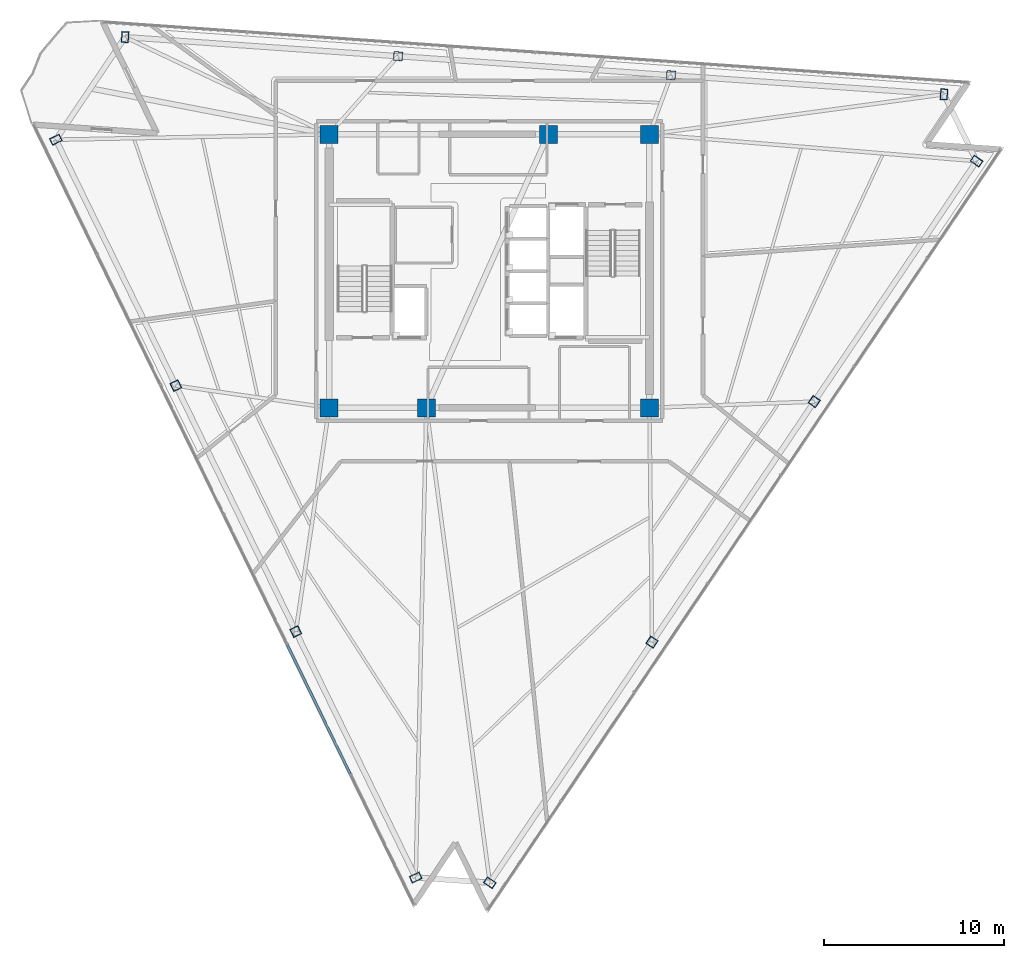
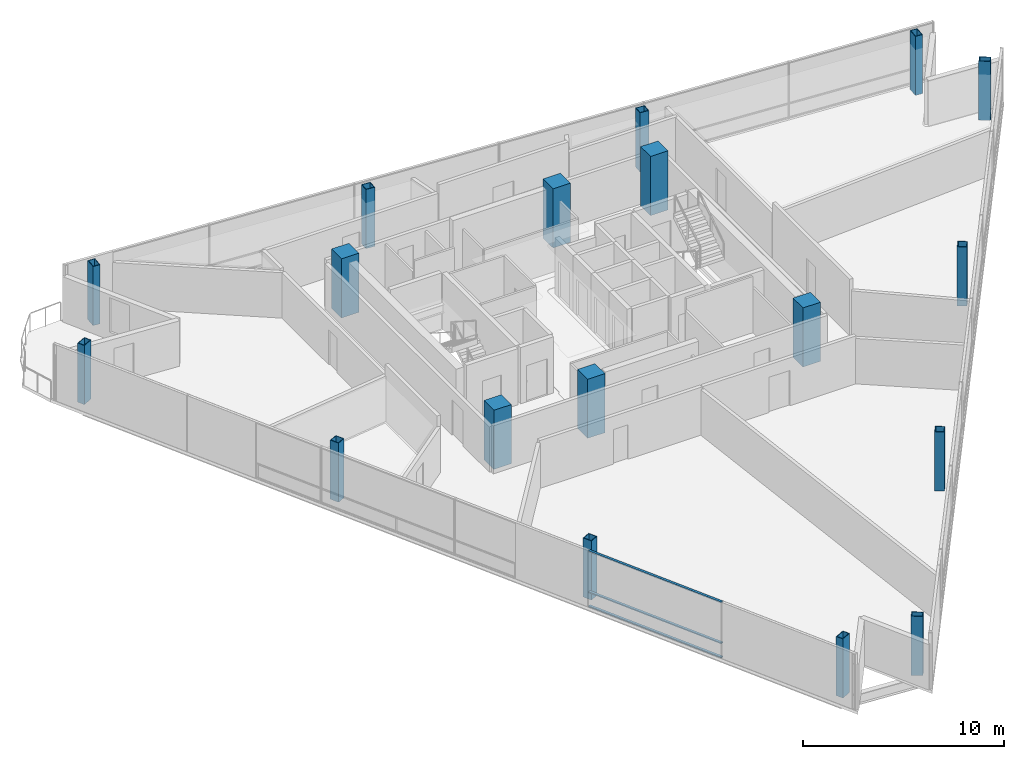
# One storey, part 1 of 14: 18 columns, 3 members, 1 element without a shape of its own.
"""IFC4 building model written with IfcOpenShell, lengths in metres."""

import ifcopenshell
import ifcopenshell.guid

model = None  # the IFC model being written
_history = None  # IfcOwnerHistory: only IFC2X3 demands one
_inside = {}  # id of a spatial element -> (the spatial element, [elements in it])
_under = {}  # id of a project, library or spatial element -> (it, [spatial elements below it])
_declared = {}  # id of a project -> (the project, [libraries it declares])
_typed = {}  # id of a type object -> (the type object, [elements of that type])
_made_of = {}  # id of a material, layer set ... -> (it, [elements and type objects made of it])


def new_model(schema):
    """Start an empty IFC model of exactly this schema.

    Asked for "IFC4X3", IfcOpenShell would pick the latest addendum, in which some entities
    have other attributes; the version numbers below select the first issue.
    IFC2X3 requires an IfcOwnerHistory on every rooted entity: one is made here for all.
    """
    global model, _history
    if schema == "IFC4X3":
        model = ifcopenshell.file(schema_version=(4, 3, 0, 0))
    else:
        model = ifcopenshell.file(schema=schema)
    _inside.clear()
    _under.clear()
    _declared.clear()
    _typed.clear()
    _made_of.clear()
    _history = None
    if model.schema == "IFC2X3":
        org = make("IfcOrganization", Name="unknown")
        user = make(
            "IfcPersonAndOrganization",
            ThePerson=make("IfcPerson", FamilyName="unknown"),
            TheOrganization=org,
        )
        app = make(
            "IfcApplication",
            ApplicationDeveloper=org,
            Version="unknown",
            ApplicationFullName="unknown",
            ApplicationIdentifier="unknown",
        )
        _history = make(
            "IfcOwnerHistory",
            OwningUser=user,
            OwningApplication=app,
            ChangeAction="ADDED",
            CreationDate=0,
        )
    return model


def make(cls, **values):
    """One entity of the class cls with the attributes given. An attribute that is None is left unset."""
    return model.create_entity(
        cls, **{name: value for name, value in values.items() if value is not None}
    )


def rooted(cls, **values):
    """An entity with a GlobalId (a new one), such as an element, a storey or a relation."""
    return make(cls, GlobalId=ifcopenshell.guid.new(), OwnerHistory=_history, **values)


def si_unit(unit_type, name, prefix=None):
    """IfcSIUnit, for example si_unit("LENGTHUNIT", "METRE", prefix="MILLI")."""
    return make("IfcSIUnit", UnitType=unit_type, Prefix=prefix, Name=name)


def assignment(units):
    """IfcUnitAssignment: the units of a project."""
    return None if units is None else make("IfcUnitAssignment", Units=units)


def point(xyz):
    """IfcCartesianPoint."""
    return None if xyz is None else make("IfcCartesianPoint", Coordinates=xyz)


def direction(xyz):
    """IfcDirection."""
    return None if xyz is None else make("IfcDirection", DirectionRatios=xyz)


def frame(location, z_axis=None, x_axis=None):
    """IfcAxis2Placement3D, a coordinate frame: its origin and axes. An axis left out is left unset."""
    return make(
        "IfcAxis2Placement3D",
        Location=point(location),
        Axis=direction(z_axis),
        RefDirection=direction(x_axis),
    )


def frame_2d(location, x_axis=None):
    """IfcAxis2Placement2D, a coordinate frame in the plane: its origin and x axis."""
    return make(
        "IfcAxis2Placement2D", Location=point(location), RefDirection=direction(x_axis)
    )


def origin():
    """The frame at (0, 0, 0) with its axes left unset."""
    return frame((0.0, 0.0, 0.0))


def origin_2d():
    """The frame at (0, 0) in the plane with its x axis left unset."""
    return frame_2d((0.0, 0.0))


def place(relative_to, where):
    """IfcLocalPlacement: puts the frame where relative to a parent placement (None: the world)."""
    return make(
        "IfcLocalPlacement", PlacementRelTo=relative_to, RelativePlacement=where
    )


def context(
    kind, dimensions, precision=None, world=None, true_north=None, identifier=None
):
    """IfcGeometricRepresentationContext, for example the 3D "Model" context."""
    return make(
        "IfcGeometricRepresentationContext",
        ContextIdentifier=identifier,
        ContextType=kind,
        CoordinateSpaceDimension=dimensions,
        Precision=precision,
        WorldCoordinateSystem=world,
        TrueNorth=true_north,
    )


def subcontext(parent, identifier, kind, view, scale=None):
    """IfcGeometricRepresentationSubContext, for example "Body" below "Model"."""
    return make(
        "IfcGeometricRepresentationSubContext",
        ContextIdentifier=identifier,
        ContextType=kind,
        ParentContext=parent,
        TargetScale=scale,
        TargetView=view,
    )


def project(units=None, contexts=None):
    """IfcProject with its units and contexts."""
    return rooted(
        "IfcProject",
        Name="project",
        RepresentationContexts=contexts,
        UnitsInContext=assignment(units),
    )


def spatial(cls, under=None, at=None, **own):
    """A site, building, storey or space (cls), placed at a placement, below another one or the project."""
    s = rooted(cls, ObjectPlacement=at, **own)
    if under is not None:
        _under.setdefault(under.id(), (under, []))[1].append(s)
    return s


def profile(cls, at=None, kind="AREA", **sizes):
    """A parametric profile (cls). Its sizes go by their IFC names, for example OverallWidth=200.0."""
    return make(cls, ProfileType=kind, Position=at, **sizes)


def rectangle(**sizes):
    """IfcRectangleProfileDef."""
    return profile("IfcRectangleProfileDef", **sizes)


def hollow_rectangle(**sizes):
    """IfcRectangleHollowProfileDef."""
    return profile("IfcRectangleHollowProfileDef", **sizes)


def extrude(swept, where, along, depth):
    """IfcExtrudedAreaSolid: the profile swept, set in the frame where, extruded along a direction by depth."""
    return make(
        "IfcExtrudedAreaSolid",
        SweptArea=swept,
        Position=where,
        ExtrudedDirection=direction(along),
        Depth=depth,
    )


def shape(context_of_items, identifier, shape_type, items):
    """IfcShapeRepresentation: the items that make up one representation, for example the "Body"."""
    return make(
        "IfcShapeRepresentation",
        ContextOfItems=context_of_items,
        RepresentationIdentifier=identifier,
        RepresentationType=shape_type,
        Items=items,
    )


def material(Name=None, Category=None):
    """IfcMaterial."""
    return make("IfcMaterial", Name=Name, Category=Category)


def layer(
    of_material, thickness, ventilated=None, Name=None, Category=None, Priority=None
):
    """IfcMaterialLayer: one layer of a wall or slab, of a material (None: an air gap)."""
    return make(
        "IfcMaterialLayer",
        Material=of_material,
        LayerThickness=thickness,
        IsVentilated=ventilated,
        Name=Name,
        Category=Category,
        Priority=Priority,
    )


def layer_set(layers, Name=None):
    """IfcMaterialLayerSet."""
    return make("IfcMaterialLayerSet", MaterialLayers=layers, LayerSetName=Name)


def material_profile(
    of_material, cross_section, Name=None, Category=None, Priority=None
):
    """IfcMaterialProfile: a cross section and its material."""
    return make(
        "IfcMaterialProfile",
        Name=Name,
        Material=of_material,
        Profile=cross_section,
        Priority=Priority,
        Category=Category,
    )


def profile_set(profiles, Name=None, composite=None):
    """IfcMaterialProfileSet."""
    return make(
        "IfcMaterialProfileSet",
        Name=Name,
        MaterialProfiles=profiles,
        CompositeProfile=composite,
    )


def made_of(thing, what):
    """Note that an element or type object is made of a material, layer set ...; save() writes the relation."""
    if what is not None:
        _made_of.setdefault(what.id(), (what, []))[1].append(thing)
    return thing


def type_object(cls, material=None, **own):
    """A type object (cls), such as IfcWallType, which elements share."""
    return made_of(rooted(cls, **own), material)


def element(
    cls,
    number,
    at=None,
    inside=None,
    cuts=None,
    type_object=None,
    material=None,
    context=None,
    identifier="Body",
    shape_type=None,
    held_by="IfcProductDefinitionShape",
    body=None,
    shapes=None,
    **own,
):
    """One element of the class cls, such as IfcWall. Its Tag is "e" and its number.

    at: its placement. inside: the storey or other place that contains it. cuts: it is an
    opening in that element (IfcRelVoidsElement). A single representation is given by context,
    identifier, shape_type and body (its items); several are given by shapes. held_by: the class
    of the entity that holds the representations. save() writes the other relations.
    """
    e = rooted(cls, Tag="e%d" % number, ObjectPlacement=at, **own)
    if body is not None:
        shapes = [shape(context, identifier, shape_type, body)]
    if shapes is not None:
        e.Representation = make(held_by, Representations=shapes)
    if inside is not None:
        _inside.setdefault(inside.id(), (inside, []))[1].append(e)
    if cuts is not None:
        rooted(
            "IfcRelVoidsElement", RelatingBuildingElement=cuts, RelatedOpeningElement=e
        )
    if type_object is not None:
        _typed.setdefault(type_object.id(), (type_object, []))[1].append(e)
    return made_of(e, material)


def aggregate(whole, parts):
    """IfcRelAggregates: a whole, such as a stair, and the parts it consists of."""
    return rooted("IfcRelAggregates", RelatingObject=whole, RelatedObjects=parts)


def save(model, path):
    """Write the relations noted so far, then the file.

    IfcRelAggregates (storeys below a building ...), IfcRelContainedInSpatialStructure (elements
    in a storey), IfcRelDefinesByType, IfcRelAssociatesMaterial and IfcRelDeclares: one each for
    every whole, place, type object, material and project.
    """
    for whole, parts in _under.values():
        aggregate(whole, parts)
    for where, things in _inside.values():
        rooted(
            "IfcRelContainedInSpatialStructure",
            RelatedElements=things,
            RelatingStructure=where,
        )
    for kind, things in _typed.values():
        rooted("IfcRelDefinesByType", RelatedObjects=things, RelatingType=kind)
    for what, things in _made_of.values():
        rooted("IfcRelAssociatesMaterial", RelatedObjects=things, RelatingMaterial=what)
    for by, libraries in _declared.values():
        rooted("IfcRelDeclares", RelatingContext=by, RelatedDefinitions=libraries)
    model.write(path)


model = new_model("IFC4")

# Units and contexts
model_context = context("Model", 3, precision=1e-05, world=origin(), true_north=direction((0.0, 1.0)))
body_context = subcontext(model_context, "Body", "Model", "MODEL_VIEW")
ifc_project = project(units=[si_unit("LENGTHUNIT", "METRE"), si_unit("AREAUNIT", "SQUARE_METRE"), si_unit("VOLUMEUNIT", "CUBIC_METRE"), si_unit("PLANEANGLEUNIT", "RADIAN"), si_unit("MASSUNIT", "GRAM", prefix="KILO")], contexts=[model_context])

# Site, building, storey
site_placement = place(None, origin())
site = spatial("IfcSite", under=ifc_project, at=site_placement, CompositionType="ELEMENT")
building_placement = place(site_placement, origin())
building = spatial("IfcBuilding", under=site, at=building_placement, Name="Tharavind Bronze Gate", CompositionType="ELEMENT")
storey_placement = place(building_placement, frame((0.0, 0.0, 245.050048828125)))
storey = spatial("IfcBuildingStorey", under=building, at=storey_placement, Name="L63", CompositionType="ELEMENT", Elevation=245.050048828125)

# Columns
ifc_material_1 = material(Name="Steel S460", Category="steel")
ifc_material_profile_1 = material_profile(ifc_material_1, hollow_rectangle(XDim=0.39990234375, YDim=0.60009765625, WallThickness=0.030029296875, at=origin_2d()), Name="RHS600X400X30")
ifc_profile_set_1 = profile_set([ifc_material_profile_1], Name="Steel S460")
column_type_1 = type_object("IfcColumnType", Name="CORNER NOTCH COLUMN RHS600X400", PredefinedType="COLUMN", material=ifc_profile_set_1)
for number, where, z_axis, x_axis, name in (
    (1, (-24.093505859375, 7.302001953125, 0.0), (0.0, 0.0, 1.0), (-0.438371146789, 0.898794046299, 0.0), "L63 perimeter column S1C1"),
    (2, (-4.090576171875, -33.710205078125, 0.0), (0.0, 0.0, 1.0), (-0.438371146789, 0.898794046299, 0.0), "L63 perimeter column S1C4"),
    (3, (0.02734375, -33.998046875, 0.0), (0.0, 0.0, 1.0), (0.559194350413, 0.829036596578, 0.0), "L63 perimeter column S2C1"),
    (4, (27.082275390625, 6.112548828125, 0.0), (0.0, 0.0, 1.0), (0.559194350413, 0.829036596578, 0.0), "L63 perimeter column S2C4"),
    (5, (25.272705078125, 9.82275390625, 0.0), (0.0, 0.0, 1.0), (-0.99756405026, 0.069756473744, 0.0), "L63 perimeter column S3C1"),
    (6, (-20.246337890625, 13.005615234375, 0.0), (0.0, 0.0, 1.0), (-0.99756405026, 0.069756473744, 0.0), "L63 perimeter column S3C4"),
):
    element("IfcColumn", number, at=place(storey_placement, frame(where, z_axis=z_axis, x_axis=x_axis)), inside=storey, type_object=column_type_1, Name=name, PredefinedType="COLUMN", context=body_context, shape_type="SweptSolid", body=[
        extrude(hollow_rectangle(XDim=0.39990234375, YDim=0.60009765625, WallThickness=0.030029296875, at=origin_2d()), origin(), (0.0, 0.0, 1.0), 3.599853515625),
    ])
ifc_material_2 = material(Name="Concrete C50/60", Category="concrete")
ifc_material_profile_2 = material_profile(ifc_material_2, rectangle(XDim=1.0, YDim=1.0, at=origin_2d()), Name="RCCOL1000")
ifc_profile_set_2 = profile_set([ifc_material_profile_2], Name="Concrete C50/60")
column_type_2 = type_object("IfcColumnType", Name="MEGA CORE COLUMN 1000", PredefinedType="COLUMN", material=ifc_profile_set_2)
for number, where, z_axis, x_axis, name in (
    (7, (-8.89990234375, -7.60009765625, 0.0), (0.0, 0.0, 1.0), (1.0, 0.0, 0.0), "L63 core mega column MC1"),
    (8, (-3.5, -7.60009765625, 0.0), (0.0, 0.0, 1.0), (1.0, 0.0, 0.0), "L63 core mega column MC2"),
    (9, (8.89990234375, -7.60009765625, 0.0), (0.0, 0.0, 1.0), (1.0, 0.0, 0.0), "L63 core mega column MC3"),
    (10, (8.89990234375, 7.60009765625, 0.0), (0.0, 0.0, 1.0), (1.0, 0.0, 0.0), "L63 core mega column MC4"),
    (11, (3.280029296875, 7.60009765625, 0.0), (0.0, 0.0, 1.0), (1.0, 0.0, 0.0), "L63 core mega column MC5"),
    (12, (-8.89990234375, 7.60009765625, 0.0), (0.0, 0.0, 1.0), (1.0, 0.0, 0.0), "L63 core mega column MC6"),
):
    element("IfcColumn", number, at=place(storey_placement, frame(where, z_axis=z_axis, x_axis=x_axis)), inside=storey, type_object=column_type_2, Name=name, PredefinedType="COLUMN", context=body_context, shape_type="SweptSolid", body=[
        extrude(rectangle(XDim=1.0, YDim=1.0, at=origin_2d()), origin(), (0.0, 0.0, 1.0), 3.599853515625),
    ])
ifc_material_profile_3 = material_profile(ifc_material_1, hollow_rectangle(XDim=0.5, YDim=0.5, WallThickness=0.031982421875, at=origin_2d()), Name="SHS500X32")
ifc_profile_set_3 = profile_set([ifc_material_profile_3], Name="Steel S460")
column_type_3 = type_object("IfcColumnType", Name="PERIMETER BOX COLUMN SHS500", PredefinedType="COLUMN", material=ifc_profile_set_3)
for number, where, z_axis, x_axis, name in (
    (13, (-17.42578125, -6.368896484375, 0.0), (0.0, 0.0, 1.0), (-0.438371146789, 0.898794046299, 0.0), "L63 perimeter column S1C2"),
    (14, (-10.75830078125, -20.039306640625, 0.0), (0.0, 0.0, 1.0), (-0.438371146789, 0.898794046299, 0.0), "L63 perimeter column S1C3"),
    (15, (9.045654296875, -20.627685546875, 0.0), (0.0, 0.0, 1.0), (0.559194350413, 0.829036596578, 0.0), "L63 perimeter column S2C2"),
    (16, (18.06396484375, -7.2578125, 0.0), (0.0, 0.0, 1.0), (0.559194350413, 0.829036596578, 0.0), "L63 perimeter column S2C3"),
    (17, (10.099609375, 10.8837890625, 0.0), (0.0, 0.0, 1.0), (-0.99756405026, 0.069756473744, 0.0), "L63 perimeter column S3C2"),
    (18, (-5.0732421875, 11.944580078125, 0.0), (0.0, 0.0, 1.0), (-0.99756405026, 0.069756473744, 0.0), "L63 perimeter column S3C3"),
):
    element("IfcColumn", number, at=place(storey_placement, frame(where, z_axis=z_axis, x_axis=x_axis)), inside=storey, type_object=column_type_3, Name=name, PredefinedType="COLUMN", context=body_context, shape_type="SweptSolid", body=[
        extrude(hollow_rectangle(XDim=0.5, YDim=0.5, WallThickness=0.031982421875, at=origin_2d()), origin(), (0.0, 0.0, 1.0), 3.599853515625),
    ])

# Curtain wall, members
ifc_material_3 = material(Name="Anodised Bronze Aluminium", Category="aluminium")
ifc_layer = layer(ifc_material_3, 0.219970703125)
ifc_layer_set = layer_set([ifc_layer], Name="Anodised Bronze Aluminium")
curtain_wall_type = type_object("IfcCurtainWallType", Name="UNITISED CURTAIN WALL UPPER OFFICE", PredefinedType="USERDEFINED", material=ifc_layer_set)
curtain_wall_placement = place(storey_placement, origin())
curtain_wall = element("IfcCurtainWall", 19, at=curtain_wall_placement, inside=storey, type_object=curtain_wall_type, Name="L63 unitised curtain wall upper office CW-L63-S1", ObjectType="UNITISED CURTAIN WALL", PredefinedType="USERDEFINED")
member_type = type_object("IfcMemberType", Name="CURTAIN WALL BRONZE TRANSOM 65X140", PredefinedType="USERDEFINED", material=ifc_material_3)
member_1_placement = place(storey_placement, frame((-9.480712890625, -24.36962890625, 0.0), z_axis=(0.0, 0.0, 1.0), x_axis=(0.438371146789, -0.898794046299, 0.0)))
member_1 = element("IfcMember", 20, at=member_1_placement, type_object=member_type, Name="CW-L63-S1 transom TB5", ObjectType="TRANSOM", PredefinedType="USERDEFINED", context=body_context, shape_type="SweptSolid", body=[
    extrude(rectangle(XDim=7.985107421875, YDim=0.139892578125, at=origin_2d()), origin(), (0.0, 0.0, 1.0), 0.06494140625),
])
member_2_placement = place(storey_placement, frame((-9.480712890625, -24.36962890625, 0.867431640625), z_axis=(0.0, 0.0, 1.0), x_axis=(0.438371146789, -0.898794046299, 0.0)))
member_2 = element("IfcMember", 21, at=member_2_placement, type_object=member_type, Name="CW-L63-S1 transom TS5", ObjectType="TRANSOM", PredefinedType="USERDEFINED", context=body_context, shape_type="SweptSolid", body=[
    extrude(rectangle(XDim=7.985107421875, YDim=0.139892578125, at=origin_2d()), origin(), (0.0, 0.0, 1.0), 0.06494140625),
])
member_3_placement = place(storey_placement, frame((-9.480712890625, -24.36962890625, 3.35498046875), z_axis=(0.0, 0.0, 1.0), x_axis=(0.438371146789, -0.898794046299, 0.0)))
member_3 = element("IfcMember", 22, at=member_3_placement, type_object=member_type, Name="CW-L63-S1 transom TT5", ObjectType="TRANSOM", PredefinedType="USERDEFINED", context=body_context, shape_type="SweptSolid", body=[
    extrude(rectangle(XDim=7.985107421875, YDim=0.139892578125, at=origin_2d()), origin(), (0.0, 0.0, 1.0), 0.06494140625),
])
aggregate(curtain_wall, [member_1, member_2, member_3])

save(model, "model.ifc")
